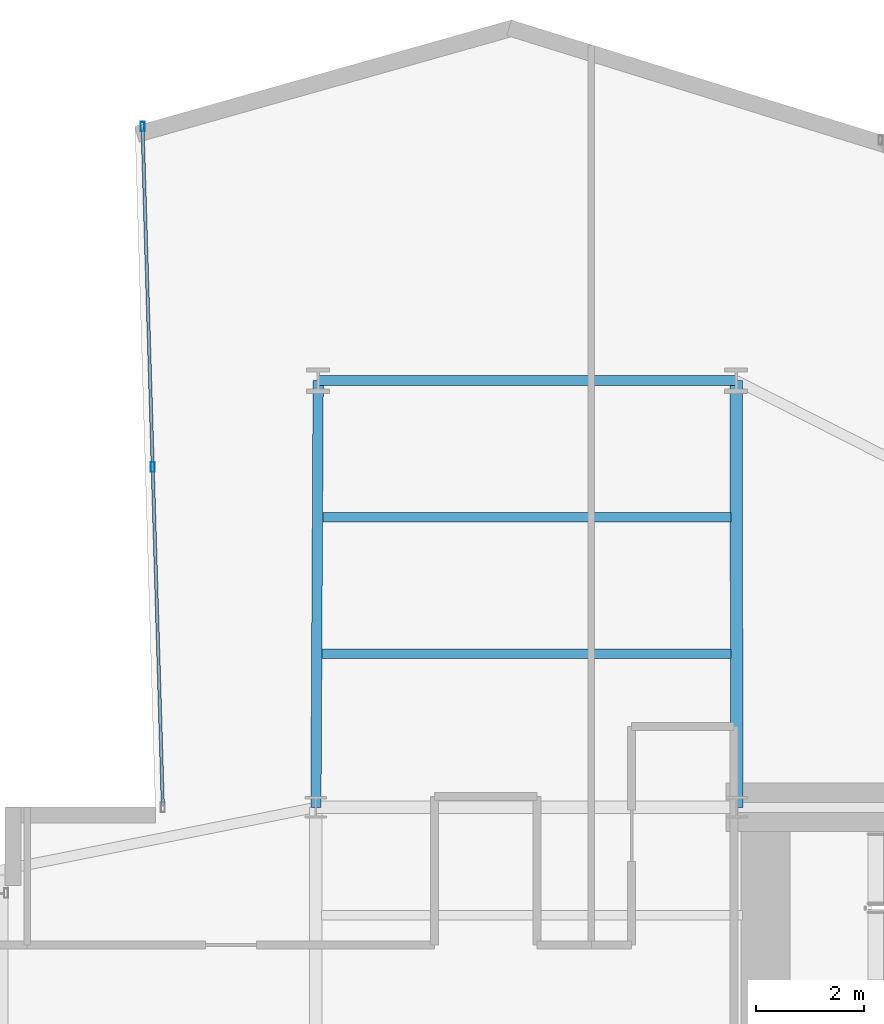
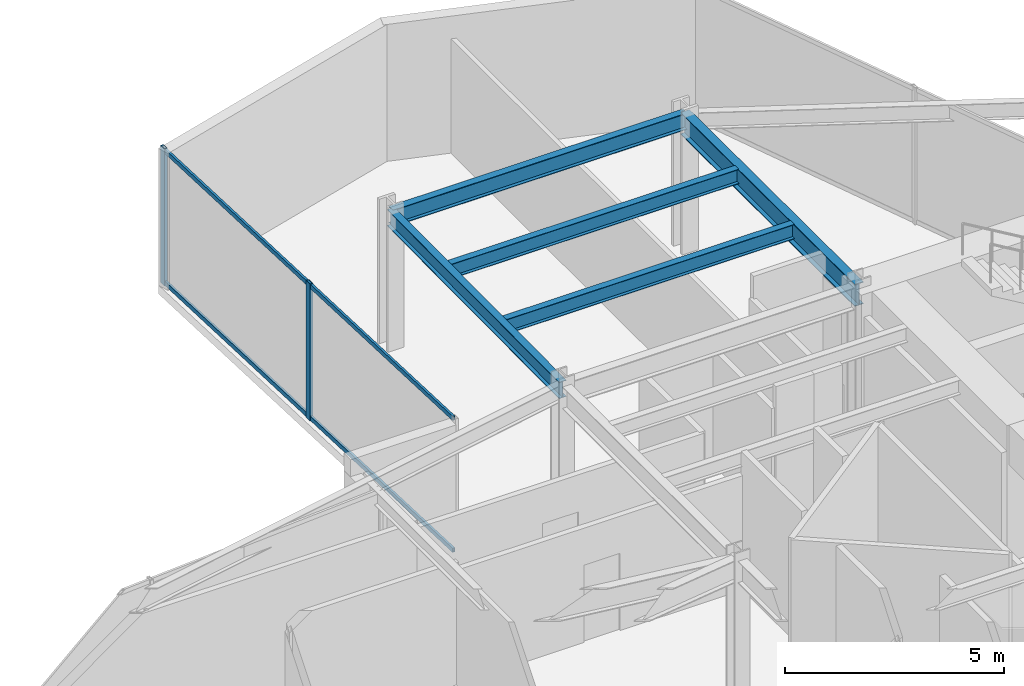
# One storey, part 19 of 30: 5 beams, 4 members, 1 element without a shape of its own.
"""IFC4 building model written with IfcOpenShell, lengths in metres."""

from ifc_helpers import new_model, si_unit, direction, frame, origin, origin_2d, place, context, subcontext, project, spatial, hollow_rectangle, i_section, extrude, material, layer, layer_set, material_profile, profile_set, type_object, element, aggregate, save


model = new_model("IFC4")

# Units and contexts
model_context = context("Model", 3, precision=1e-05, world=origin(), true_north=direction((0.0, 1.0)))
body_context = subcontext(model_context, "Body", "Model", "MODEL_VIEW")
ifc_project = project(units=[si_unit("LENGTHUNIT", "METRE"), si_unit("AREAUNIT", "SQUARE_METRE"), si_unit("VOLUMEUNIT", "CUBIC_METRE"), si_unit("PLANEANGLEUNIT", "RADIAN"), si_unit("MASSUNIT", "GRAM", prefix="KILO")], contexts=[model_context])

# Site, building, storey
site_placement = place(None, origin())
site = spatial("IfcSite", under=ifc_project, at=site_placement, CompositionType="ELEMENT")
building_placement = place(site_placement, origin())
building = spatial("IfcBuilding", under=site, at=building_placement, Name="Veymaron Broadcast Tower", CompositionType="ELEMENT")
storey_placement = place(building_placement, frame((0.0, 0.0, 37.800048828125)))
storey = spatial("IfcBuildingStorey", under=building, at=storey_placement, Name="L07", CompositionType="ELEMENT", Elevation=37.800048828125)

# Beams
ifc_material_1 = material(Name="Structural steel ASTM A992 Gr 50", Category="steel")
ifc_material_profile_1 = material_profile(ifc_material_1, i_section(OverallWidth=0.22998046875, OverallDepth=0.616943359375, WebThickness=0.01318359375, FlangeThickness=0.022216796875, at=origin_2d()), Name="W610X140")
ifc_profile_set_1 = profile_set([ifc_material_profile_1], Name="Structural steel ASTM A992 Gr 50")
beam_type_1 = type_object("IfcBeamType", Name="BM-FG1", PredefinedType="BEAM", material=ifc_profile_set_1)
beam_1_placement = place(storey_placement, frame((39.0, 32.0, 3.50146484375), z_axis=(-0.001882770823, 0.999998227585, 0.0), x_axis=(-0.999998227585, -0.001882770823, 0.0)))
element("IfcBeam", 1, at=beam_1_placement, inside=storey, type_object=beam_type_1, Name="L07 primary structural floor girder", PredefinedType="BEAM", context=body_context, shape_type="SweptSolid", body=[
    extrude(i_section(OverallWidth=0.22998046875, OverallDepth=0.616943359375, WebThickness=0.01318359375, FlangeThickness=0.022216796875, at=origin_2d()), origin(), (0.0, 0.0, 1.0), 7.909912109375),
])
ifc_material_profile_2 = material_profile(ifc_material_1, i_section(OverallWidth=0.177978515625, OverallDepth=0.406982421875, WebThickness=0.0078125, FlangeThickness=0.0126953125, at=origin_2d()), Name="W410X60")
ifc_profile_set_2 = profile_set([ifc_material_profile_2], Name="Structural steel ASTM A992 Gr 50")
beam_type_2 = type_object("IfcBeamType", Name="BM-JS1", PredefinedType="JOIST", material=ifc_profile_set_2)
beam_2_placement = place(storey_placement, frame((31.315185546875, 34.84765625, 3.6064453125), z_axis=(1.0, 0.0, 0.0), x_axis=(0.0, 1.0, 0.0)))
element("IfcBeam", 2, at=beam_2_placement, inside=storey, type_object=beam_type_2, Name="L07 Arm-B secondary joist 1", PredefinedType="JOIST", context=body_context, shape_type="SweptSolid", body=[
    extrude(i_section(OverallWidth=0.177978515625, OverallDepth=0.406982421875, WebThickness=0.0078125, FlangeThickness=0.0126953125, at=origin_2d()), origin(), (0.0, 0.0, 1.0), 7.579345703125),
])
beam_3_placement = place(storey_placement, frame((31.32861328125, 37.37890625, 3.6064453125), z_axis=(1.0, 0.0, 0.0), x_axis=(0.0, 1.0, 0.0)))
element("IfcBeam", 3, at=beam_3_placement, inside=storey, type_object=beam_type_2, Name="L07 Arm-B secondary joist 2", PredefinedType="JOIST", context=body_context, shape_type="SweptSolid", body=[
    extrude(i_section(OverallWidth=0.177978515625, OverallDepth=0.406982421875, WebThickness=0.0078125, FlangeThickness=0.0126953125, at=origin_2d()), origin(), (0.0, 0.0, 1.0), 7.561279296875),
])
ifc_material_profile_3 = material_profile(ifc_material_1, i_section(OverallWidth=0.19091796875, OverallDepth=0.4599609375, WebThickness=0.010009765625, FlangeThickness=0.01611328125, at=origin_2d()), Name="W460X82")
ifc_profile_set_3 = profile_set([ifc_material_profile_3], Name="Structural steel ASTM A992 Gr 50")
beam_type_3 = type_object("IfcBeamType", Name="BM-SP1", PredefinedType="SPANDREL", material=ifc_profile_set_3)
beam_4_placement = place(storey_placement, frame((31.199951171875, 32.0, 3.579833984375), z_axis=(0.005308731019, 0.999985908588, 0.0), x_axis=(-0.999985908588, 0.005308731019, 0.0)))
element("IfcBeam", 4, at=beam_4_placement, inside=storey, type_object=beam_type_3, Name="L07 primary structural floor girder", PredefinedType="SPANDREL", context=body_context, shape_type="SweptSolid", body=[
    extrude(i_section(OverallWidth=0.19091796875, OverallDepth=0.4599609375, WebThickness=0.010009765625, FlangeThickness=0.01611328125, at=origin_2d()), origin(), (0.0, 0.0, 1.0), 7.909912109375),
])
beam_5_placement = place(storey_placement, frame((31.241943359375, 39.909912109375, 3.579833984375), z_axis=(1.0, 0.0, 0.0), x_axis=(0.0, 1.0, 0.0)))
element("IfcBeam", 5, at=beam_5_placement, inside=storey, type_object=beam_type_3, Name="L07 primary structural floor girder", PredefinedType="SPANDREL", context=body_context, shape_type="SweptSolid", body=[
    extrude(i_section(OverallWidth=0.19091796875, OverallDepth=0.4599609375, WebThickness=0.010009765625, FlangeThickness=0.01611328125, at=origin_2d()), origin(), (0.0, 0.0, 1.0), 7.7431640625),
])

# Curtain wall, members
ifc_material_2 = material(Name="Anodised aluminium AA 6063-T6 and laminated low-E dark glass", Category="aluminium")
ifc_layer = layer(ifc_material_2, 0.179931640625)
ifc_layer_set = layer_set([ifc_layer], Name="Anodised aluminium AA 6063-T6 and laminated low-E dark glass")
curtain_wall_type = type_object("IfcCurtainWallType", Name="CW-SYS-02", PredefinedType="NOTDEFINED", material=ifc_layer_set)
curtain_wall_placement = place(storey_placement, origin())
curtain_wall = element("IfcCurtainWall", 6, at=curtain_wall_placement, inside=storey, type_object=curtain_wall_type, Name="L07 dark-glass curtain wall CW-L07-E8-1", PredefinedType="NOTDEFINED")
ifc_material_3 = material(Name="Anodised aluminium AA 6063-T6", Category="aluminium")
ifc_material_profile_4 = material_profile(ifc_material_3, hollow_rectangle(XDim=0.074951171875, YDim=0.179931640625, WallThickness=0.0048828125, at=origin_2d()), Name="AL180X75X5")
ifc_profile_set_4 = profile_set([ifc_material_profile_4], Name="Anodised aluminium AA 6063-T6")
member_type_1 = type_object("IfcMemberType", Name="CW-MUL-02", PredefinedType="MULLION", material=ifc_profile_set_4)
member_1_placement = place(storey_placement, frame((27.9873046875, 44.615234375, 0.0), z_axis=(0.0, 0.0, 1.0), x_axis=(1.0, 0.0, 0.0)))
member_1 = element("IfcMember", 7, at=member_1_placement, type_object=member_type_1, Name="CW-L07-E8-1 mullion 0", PredefinedType="MULLION", context=body_context, shape_type="SweptSolid", body=[
    extrude(hollow_rectangle(XDim=0.074951171875, YDim=0.179931640625, WallThickness=0.0048828125, at=origin_2d()), origin(), (0.0, 0.0, 1.0), 3.81005859375),
])
member_2_placement = place(storey_placement, frame((28.175537109375, 38.309814453125, 0.0), z_axis=(0.0, 0.0, 1.0), x_axis=(1.0, 0.0, 0.0)))
member_2 = element("IfcMember", 8, at=member_2_placement, type_object=member_type_1, Name="CW-L07-E8-1 mullion 1", PredefinedType="MULLION", context=body_context, shape_type="SweptSolid", body=[
    extrude(hollow_rectangle(XDim=0.074951171875, YDim=0.179931640625, WallThickness=0.0048828125, at=origin_2d()), origin(), (0.0, 0.0, 1.0), 3.81005859375),
])
ifc_material_profile_5 = material_profile(ifc_material_3, hollow_rectangle(XDim=0.06005859375, YDim=0.1201171875, WallThickness=0.00390625, at=origin_2d()), Name="AL120X60X4")
ifc_profile_set_5 = profile_set([ifc_material_profile_5], Name="Anodised aluminium AA 6063-T6")
member_type_2 = type_object("IfcMemberType", Name="CW-TRN-02", PredefinedType="USERDEFINED", material=ifc_profile_set_5)
member_3_placement = place(storey_placement, frame((27.98876953125, 44.565185546875, 0.070068359375), z_axis=(0.029862760986, -0.999554008299, 0.0), x_axis=(0.999554008299, 0.029862760986, 0.0)))
member_3 = element("IfcMember", 9, at=member_3_placement, type_object=member_type_2, Name="CW-L07-E8-1 transom B", ObjectType="TRANSOM", PredefinedType="USERDEFINED", context=body_context, shape_type="SweptSolid", body=[
    extrude(hollow_rectangle(XDim=0.06005859375, YDim=0.1201171875, WallThickness=0.00390625, at=origin_2d()), origin(), (0.0, 0.0, 1.0), 12.5166015625),
])
member_4_placement = place(storey_placement, frame((27.98876953125, 44.565185546875, 3.739990234375), z_axis=(0.029862760986, -0.999554008299, 0.0), x_axis=(0.999554008299, 0.029862760986, 0.0)))
member_4 = element("IfcMember", 10, at=member_4_placement, type_object=member_type_2, Name="CW-L07-E8-1 transom T", ObjectType="TRANSOM", PredefinedType="USERDEFINED", context=body_context, shape_type="SweptSolid", body=[
    extrude(hollow_rectangle(XDim=0.06005859375, YDim=0.1201171875, WallThickness=0.00390625, at=origin_2d()), origin(), (0.0, 0.0, 1.0), 12.5166015625),
])
aggregate(curtain_wall, [member_1, member_2, member_3, member_4])

save(model, "model.ifc")
